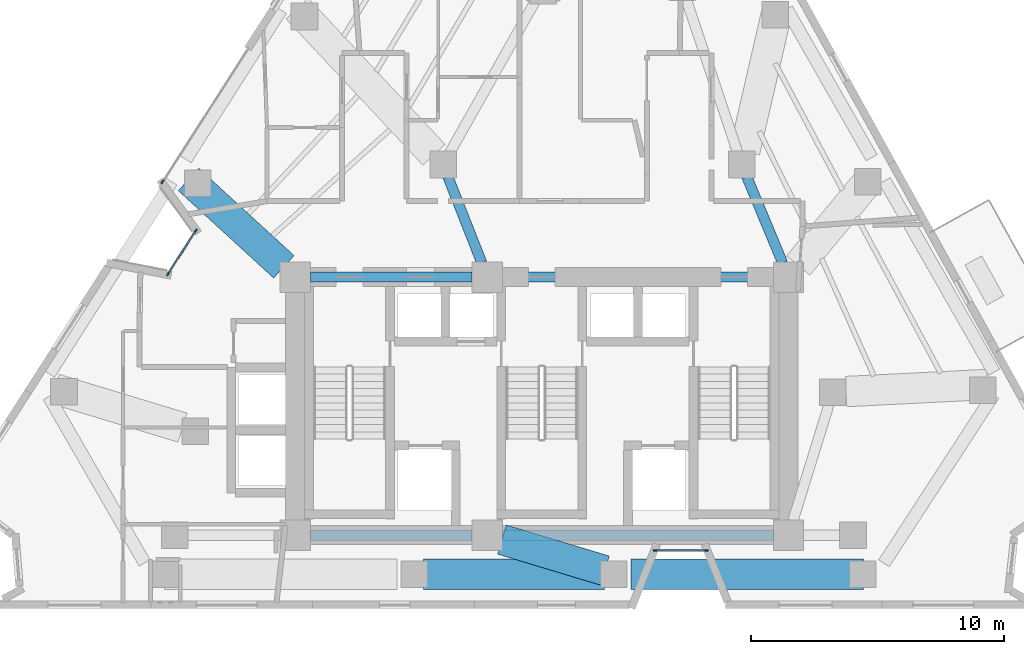
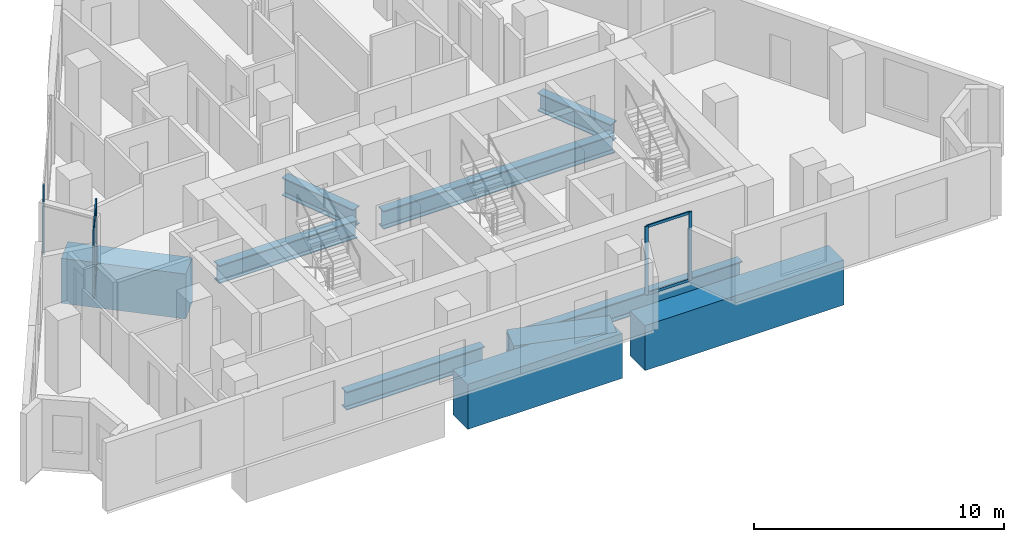
# One storey, part 2 of 11: 10 beams, 9 members, 3 elements without a shape of their own.
"""IFC4 building model written with IfcOpenShell, lengths in metres."""

from ifc_helpers import new_model, si_unit, direction, frame, origin, origin_2d, place, context, subcontext, project, spatial, rectangle, i_section, extrude, material, layer, layer_set, material_profile, profile_set, type_object, element, aggregate, save


model = new_model("IFC4")

# Units and contexts
model_context = context("Model", 3, precision=1e-05, world=origin(), true_north=direction((0.0, 1.0)))
body_context = subcontext(model_context, "Body", "Model", "MODEL_VIEW")
ifc_project = project(units=[si_unit("LENGTHUNIT", "METRE"), si_unit("AREAUNIT", "SQUARE_METRE"), si_unit("VOLUMEUNIT", "CUBIC_METRE"), si_unit("PLANEANGLEUNIT", "RADIAN"), si_unit("MASSUNIT", "GRAM", prefix="KILO")], contexts=[model_context])

# Site, building, storey
site_placement = place(None, origin())
site = spatial("IfcSite", under=ifc_project, at=site_placement, CompositionType="ELEMENT")
building_placement = place(site_placement, origin())
building = spatial("IfcBuilding", under=site, at=building_placement, Name="Almagre Mirador Tower", CompositionType="ELEMENT")
storey_placement = place(building_placement, frame((0.0, 0.0, 153.60009765625)))
storey = spatial("IfcBuildingStorey", under=building, at=storey_placement, Name="L39", CompositionType="ELEMENT", Elevation=153.60009765625)

# Beams
ifc_material_1 = material(Name="Steel ASTM A992 Grade 50", Category="steel")
ifc_material_profile_1 = material_profile(ifc_material_1, i_section(OverallWidth=0.404052734375, OverallDepth=0.884033203125, WebThickness=0.0244140625, FlangeThickness=0.0439453125, FilletRadius=0.02490234375, at=origin_2d()), Name="W33X291")
ifc_profile_set_1 = profile_set([ifc_material_profile_1], Name="Steel ASTM A992 Grade 50")
beam_type_1 = type_object("IfcBeamType", Name="BM-STL-W33X291", PredefinedType="BEAM", material=ifc_profile_set_1)
beam_1_placement = place(storey_placement, frame((28.14990234375, 4.550048828125, -0.692138671875), z_axis=(1.0, 0.0, 0.0), x_axis=(0.0, 1.0, 0.0)))
element("IfcBeam", 1, at=beam_1_placement, inside=storey, type_object=beam_type_1, Name="L39 core tie girder CC1-CC2", PredefinedType="BEAM", context=body_context, shape_type="SweptSolid", body=[
    extrude(i_section(OverallWidth=0.404052734375, OverallDepth=0.884033203125, WebThickness=0.0244140625, FlangeThickness=0.0439453125, FilletRadius=0.02490234375, at=origin_2d()), origin(), (0.0, 0.0, 1.0), 6.400146484375),
])
beam_2_placement = place(storey_placement, frame((35.75, 4.550048828125, -0.692138671875), z_axis=(1.0, 0.0, 0.0), x_axis=(0.0, 1.0, 0.0)))
element("IfcBeam", 2, at=beam_2_placement, inside=storey, type_object=beam_type_1, Name="L39 core tie girder CC2-CC3", PredefinedType="BEAM", context=body_context, shape_type="SweptSolid", body=[
    extrude(i_section(OverallWidth=0.404052734375, OverallDepth=0.884033203125, WebThickness=0.0244140625, FlangeThickness=0.0439453125, FilletRadius=0.02490234375, at=origin_2d()), origin(), (0.0, 0.0, 1.0), 10.699951171875),
])
beam_3_placement = place(storey_placement, frame((28.14990234375, 14.75, -0.692138671875), z_axis=(1.0, 0.0, 0.0), x_axis=(0.0, 1.0, 0.0)))
element("IfcBeam", 3, at=beam_3_placement, inside=storey, type_object=beam_type_1, Name="L39 core tie girder CC4-CC5", PredefinedType="BEAM", context=body_context, shape_type="SweptSolid", body=[
    extrude(i_section(OverallWidth=0.404052734375, OverallDepth=0.884033203125, WebThickness=0.0244140625, FlangeThickness=0.0439453125, FilletRadius=0.02490234375, at=origin_2d()), origin(), (0.0, 0.0, 1.0), 6.400146484375),
])
beam_4_placement = place(storey_placement, frame((35.75, 14.75, -0.692138671875), z_axis=(1.0, 0.0, 0.0), x_axis=(0.0, 1.0, 0.0)))
element("IfcBeam", 4, at=beam_4_placement, inside=storey, type_object=beam_type_1, Name="L39 core tie girder CC5-CC6", PredefinedType="BEAM", context=body_context, shape_type="SweptSolid", body=[
    extrude(i_section(OverallWidth=0.404052734375, OverallDepth=0.884033203125, WebThickness=0.0244140625, FlangeThickness=0.0439453125, FilletRadius=0.02490234375, at=origin_2d()), origin(), (0.0, 0.0, 1.0), 10.699951171875),
])
beam_5_placement = place(storey_placement, frame((45.401611328125, 18.715087890625, -0.692138671875), z_axis=(0.383845645019, -0.923397271384, 0.0), x_axis=(0.923397271384, 0.383845645019, 0.0)))
element("IfcBeam", 5, at=beam_5_placement, inside=storey, type_object=beam_type_1, Name="L39 core tie girder MC5-CC6", PredefinedType="BEAM", context=body_context, shape_type="SweptSolid", body=[
    extrude(i_section(OverallWidth=0.404052734375, OverallDepth=0.884033203125, WebThickness=0.0244140625, FlangeThickness=0.0439453125, FilletRadius=0.02490234375, at=origin_2d()), origin(), (0.0, 0.0, 1.0), 3.694091796875),
])
beam_6_placement = place(storey_placement, frame((33.592041015625, 18.71142578125, -0.692138671875), z_axis=(0.365997304164, -0.930615910752, 0.0), x_axis=(0.930615910752, 0.365997304164, 0.0)))
element("IfcBeam", 6, at=beam_6_placement, inside=storey, type_object=beam_type_1, Name="L39 core tie girder MC8-CC5", PredefinedType="BEAM", context=body_context, shape_type="SweptSolid", body=[
    extrude(i_section(OverallWidth=0.404052734375, OverallDepth=0.884033203125, WebThickness=0.0244140625, FlangeThickness=0.0439453125, FilletRadius=0.02490234375, at=origin_2d()), origin(), (0.0, 0.0, 1.0), 3.65673828125),
])
ifc_material_2 = material(Name="Concrete C60/75", Category="concrete")
ifc_material_profile_2 = material_profile(ifc_material_2, rectangle(XDim=1.199951171875, YDim=2.199951171875, at=origin_2d()), Name="RC1200X2200")
ifc_profile_set_2 = profile_set([ifc_material_profile_2], Name="Concrete C60/75")
beam_type_2 = type_object("IfcBeamType", Name="BM-XFER-RC1200X2200", PredefinedType="BEAM", material=ifc_profile_set_2)
beam_7_placement = place(storey_placement, frame((32.62890625, 3.0, -1.35009765625), z_axis=(1.0, 0.0, 0.0), x_axis=(0.0, 1.0, 0.0)))
element("IfcBeam", 7, at=beam_7_placement, inside=storey, type_object=beam_type_2, Name="L39 perimeter spandrel beam PC02-PC03", PredefinedType="BEAM", context=body_context, shape_type="SweptSolid", body=[
    extrude(rectangle(XDim=1.199951171875, YDim=2.199951171875, at=origin_2d()), origin(), (0.0, 0.0, 1.0), 7.14208984375),
])
beam_8_placement = place(storey_placement, frame((40.821044921875, 3.0, -1.35009765625), z_axis=(1.0, 0.0, 0.0), x_axis=(0.0, 1.0, 0.0)))
element("IfcBeam", 8, at=beam_8_placement, inside=storey, type_object=beam_type_2, Name="L39 perimeter spandrel beam PC03-PC04", PredefinedType="BEAM", context=body_context, shape_type="SweptSolid", body=[
    extrude(rectangle(XDim=1.199951171875, YDim=2.199951171875, at=origin_2d()), origin(), (0.0, 0.0, 1.0), 9.18994140625),
])
beam_9_placement = place(storey_placement, frame((39.793212890625, 3.1513671875, -1.35009765625), z_axis=(-0.957501498255, 0.288428294104, 0.0), x_axis=(-0.288428294104, -0.957501498255, 0.0)))
element("IfcBeam", 9, at=beam_9_placement, inside=storey, type_object=beam_type_2, Name="L39 radial transfer girder PC03-CC2", PredefinedType="BEAM", context=body_context, shape_type="SweptSolid", body=[
    extrude(rectangle(XDim=1.199951171875, YDim=2.199951171875, at=origin_2d()), origin(), (0.0, 0.0, 1.0), 4.249267578125),
])
beam_10_placement = place(storey_placement, frame((23.339111328125, 18.6083984375, -1.35009765625), z_axis=(0.73728894688, -0.675577537229, 0.0), x_axis=(0.675577537229, 0.73728894688, 0.0)))
element("IfcBeam", 10, at=beam_10_placement, inside=storey, type_object=beam_type_2, Name="L39 radial transfer girder PC11-CC4", PredefinedType="BEAM", context=body_context, shape_type="SweptSolid", body=[
    extrude(rectangle(XDim=1.199951171875, YDim=2.199951171875, at=origin_2d()), origin(), (0.0, 0.0, 1.0), 5.111328125),
])

# Curtain wall, members
ifc_material_3 = material(Name="Black anodized aluminium", Category="aluminium")
ifc_layer_1 = layer(ifc_material_3, 0.169921875)
ifc_layer_set_1 = layer_set([ifc_layer_1], Name="Black anodized aluminium")
curtain_wall_type_1 = type_object("IfcCurtainWallType", Name="CW-CRS-SYS", PredefinedType="NOTDEFINED", material=ifc_layer_set_1)
curtain_wall_1_placement = place(storey_placement, origin())
curtain_wall_1 = element("IfcCurtainWall", 11, at=curtain_wall_1_placement, inside=storey, type_object=curtain_wall_type_1, Name="L39 vertical crease curtain wall 01", PredefinedType="NOTDEFINED")
ifc_material_4 = material(Name="Black anodized aluminium", Category="aluminium")
ifc_material_profile_3 = material_profile(ifc_material_4, rectangle(XDim=0.06005859375, YDim=0.14990234375, at=origin_2d()), Name="CWM60X150")
ifc_profile_set_3 = profile_set([ifc_material_profile_3], Name="Black anodized aluminium")
member_type_1 = type_object("IfcMemberType", Name="MBR-CWM60X150", PredefinedType="MULLION", material=ifc_profile_set_3)
member_1_placement = place(storey_placement, frame((22.529296875, 14.871337890625, 0.0), z_axis=(0.0, 0.0, 1.0), x_axis=(-0.841923718176, 0.539596564827, 0.0)))
member_1 = element("IfcMember", 12, at=member_1_placement, type_object=member_type_1, Name="CW-4 mullion 1", PredefinedType="MULLION", context=body_context, shape_type="SweptSolid", body=[
    extrude(rectangle(XDim=0.06005859375, YDim=0.14990234375, at=origin_2d()), origin(), (0.0, 0.0, 1.0), 3.349853515625),
])
member_2_placement = place(storey_placement, frame((23.624755859375, 16.580810546875, 0.0), z_axis=(0.0, 0.0, 1.0), x_axis=(-0.841923718176, 0.539596564827, 0.0)))
member_2 = element("IfcMember", 13, at=member_2_placement, type_object=member_type_1, Name="CW-4 mullion 2", PredefinedType="MULLION", context=body_context, shape_type="SweptSolid", body=[
    extrude(rectangle(XDim=0.06005859375, YDim=0.14990234375, at=origin_2d()), origin(), (0.0, 0.0, 1.0), 3.349853515625),
])

curtain_wall_2_placement = place(storey_placement, origin())
curtain_wall_2 = element("IfcCurtainWall", 14, at=curtain_wall_2_placement, inside=storey, type_object=curtain_wall_type_1, Name="L39 vertical crease curtain wall 04", PredefinedType="NOTDEFINED")
member_3_placement = place(storey_placement, frame((43.806884765625, 3.949951171875, 0.0), z_axis=(0.0, 0.0, 1.0), x_axis=(0.0, -1.0, 0.0)))
member_3 = element("IfcMember", 15, at=member_3_placement, type_object=member_type_1, Name="CW-4 mullion 1", PredefinedType="MULLION", context=body_context, shape_type="SweptSolid", body=[
    extrude(rectangle(XDim=0.06005859375, YDim=0.14990234375, at=origin_2d()), origin(), (0.0, 0.0, 1.0), 3.349853515625),
])
member_4_placement = place(storey_placement, frame((41.777099609375, 3.949951171875, 0.0), z_axis=(0.0, 0.0, 1.0), x_axis=(0.0, -1.0, 0.0)))
member_4 = element("IfcMember", 16, at=member_4_placement, type_object=member_type_1, Name="CW-4 mullion 2", PredefinedType="MULLION", context=body_context, shape_type="SweptSolid", body=[
    extrude(rectangle(XDim=0.06005859375, YDim=0.14990234375, at=origin_2d()), origin(), (0.0, 0.0, 1.0), 3.349853515625),
])

# Curtain wall, member
ifc_material_5 = material(Name="Black anodized aluminium", Category="aluminium")
ifc_layer_2 = layer(ifc_material_5, 0.199951171875)
ifc_layer_set_2 = layer_set([ifc_layer_2], Name="Black anodized aluminium")
curtain_wall_type_2 = type_object("IfcCurtainWallType", Name="CW-RES-H-SYS", PredefinedType="NOTDEFINED", material=ifc_layer_set_2)
curtain_wall_3_placement = place(storey_placement, origin())
curtain_wall_3 = element("IfcCurtainWall", 17, at=curtain_wall_3_placement, inside=storey, type_object=curtain_wall_type_2, Name="L39 curtain wall run 02", PredefinedType="NOTDEFINED")
ifc_material_6 = material(Name="Black anodized aluminium", Category="aluminium")
ifc_material_profile_4 = material_profile(ifc_material_6, rectangle(XDim=0.06494140625, YDim=0.179931640625, at=origin_2d()), Name="CWM65X180")
ifc_profile_set_4 = profile_set([ifc_material_profile_4], Name="Black anodized aluminium")
member_type_2 = type_object("IfcMemberType", Name="MBR-CWM65X180", PredefinedType="MULLION", material=ifc_profile_set_4)
member_5_placement = place(storey_placement, frame((22.3095703125, 18.512451171875, 0.0), z_axis=(0.0, 0.0, 1.0), x_axis=(-0.841981168669, 0.539506915253, 0.0)))
member_5 = element("IfcMember", 18, at=member_5_placement, type_object=member_type_2, Name="CW-3 mullion 1", PredefinedType="MULLION", context=body_context, shape_type="SweptSolid", body=[
    extrude(rectangle(XDim=0.06494140625, YDim=0.179931640625, at=origin_2d()), origin(), (0.0, 0.0, 1.0), 3.349853515625),
])
aggregate(curtain_wall_3, [member_5])

# Member
ifc_material_7 = material(Name="Black anodized aluminium", Category="aluminium")
ifc_material_profile_5 = material_profile(ifc_material_7, rectangle(XDim=0.06005859375, YDim=0.1298828125, at=origin_2d()), Name="CWT60X130")
ifc_profile_set_5 = profile_set([ifc_material_profile_5], Name="Black anodized aluminium")
member_type_3 = type_object("IfcMemberType", Name="MBR-CWT60X130", PredefinedType="USERDEFINED", material=ifc_profile_set_5)
member_6_placement = place(storey_placement, frame((22.54541015625, 14.896484375, 0.02978515625), z_axis=(0.539598560897, 0.841922438873, 0.0), x_axis=(-0.841922438873, 0.539598560897, 0.0)))
member_6 = element("IfcMember", 19, at=member_6_placement, type_object=member_type_3, Name="CW-4 transom 1.1", ObjectType="TRANSOM", PredefinedType="USERDEFINED", context=body_context, shape_type="SweptSolid", body=[
    extrude(rectangle(XDim=0.06005859375, YDim=0.1298828125, at=origin_2d()), origin(), (0.0, 0.0, 1.0), 1.970458984375),
])

member_7_placement = place(storey_placement, frame((22.54541015625, 14.896484375, 3.31982421875), z_axis=(0.539598560897, 0.841922438873, 0.0), x_axis=(-0.841922438873, 0.539598560897, 0.0)))
member_7 = element("IfcMember", 20, at=member_7_placement, type_object=member_type_3, Name="CW-4 transom 1.2", ObjectType="TRANSOM", PredefinedType="USERDEFINED", context=body_context, shape_type="SweptSolid", body=[
    extrude(rectangle(XDim=0.06005859375, YDim=0.1298828125, at=origin_2d()), origin(), (0.0, 0.0, 1.0), 1.970458984375),
])

aggregate(curtain_wall_1, [member_1, member_2, member_6, member_7])

member_8_placement = place(storey_placement, frame((43.777099609375, 3.949951171875, 0.02978515625), z_axis=(-1.0, 0.0, 0.0), x_axis=(0.0, -1.0, 0.0)))
member_8 = element("IfcMember", 21, at=member_8_placement, type_object=member_type_3, Name="CW-4 transom 1.1", ObjectType="TRANSOM", PredefinedType="USERDEFINED", context=body_context, shape_type="SweptSolid", body=[
    extrude(rectangle(XDim=0.06005859375, YDim=0.1298828125, at=origin_2d()), origin(), (0.0, 0.0, 1.0), 1.97021484375),
])

member_9_placement = place(storey_placement, frame((43.777099609375, 3.949951171875, 3.31982421875), z_axis=(-1.0, 0.0, 0.0), x_axis=(0.0, -1.0, 0.0)))
member_9 = element("IfcMember", 22, at=member_9_placement, type_object=member_type_3, Name="CW-4 transom 1.2", ObjectType="TRANSOM", PredefinedType="USERDEFINED", context=body_context, shape_type="SweptSolid", body=[
    extrude(rectangle(XDim=0.06005859375, YDim=0.1298828125, at=origin_2d()), origin(), (0.0, 0.0, 1.0), 1.97021484375),
])

aggregate(curtain_wall_2, [member_3, member_4, member_8, member_9])

save(model, "model.ifc")
